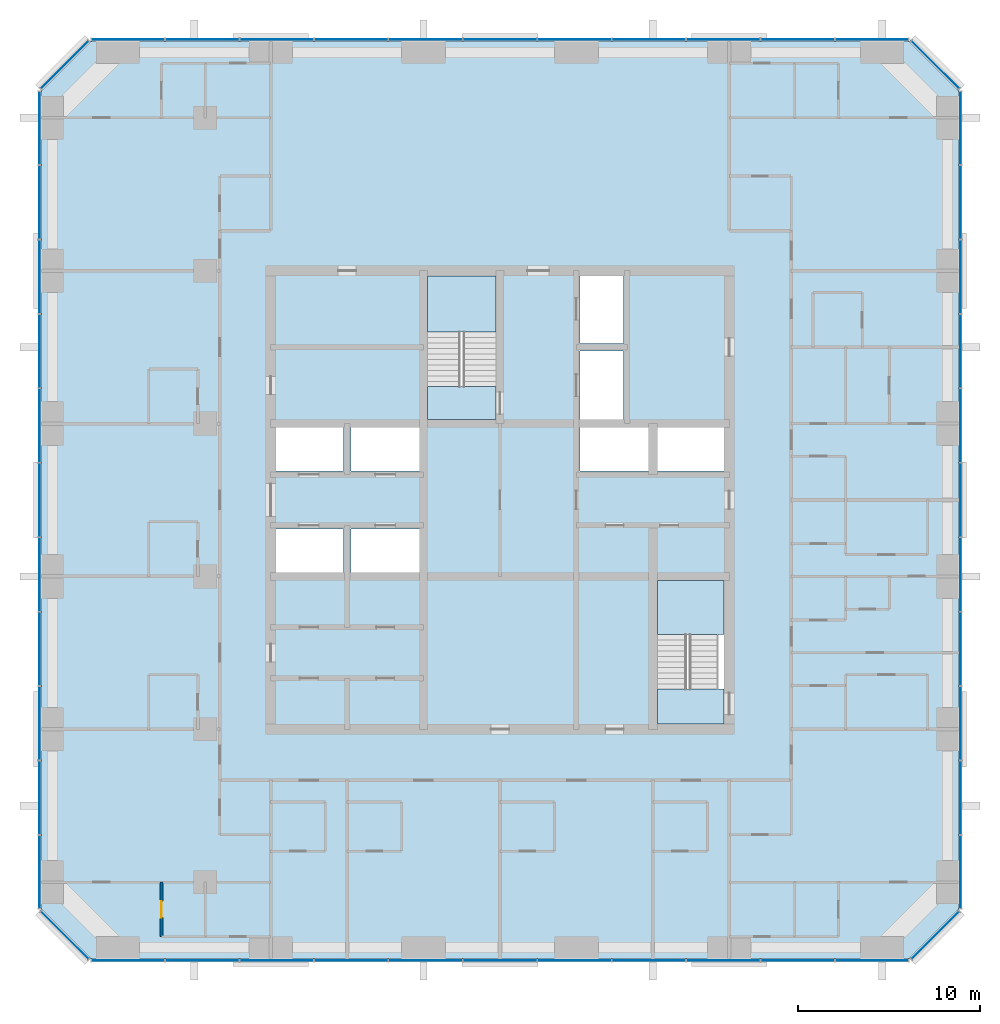
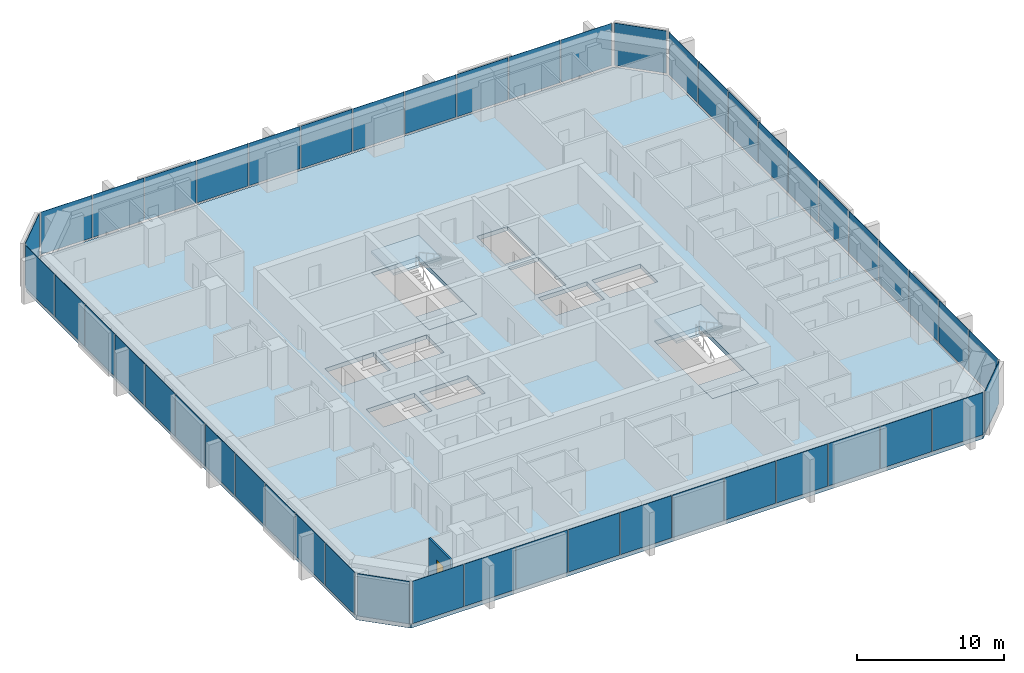
# One storey, part 7 of 13: 48 plates, 5 slabs, 1 door, 1 wall, 1 opening, 10 elements without a shape of their own.
"""IFC4 building model written with IfcOpenShell, lengths in metres."""

import ifcopenshell
import ifcopenshell.guid

model = None  # the IFC model being written
_history = None  # IfcOwnerHistory: only IFC2X3 demands one
_inside = {}  # id of a spatial element -> (the spatial element, [elements in it])
_under = {}  # id of a project, library or spatial element -> (it, [spatial elements below it])
_declared = {}  # id of a project -> (the project, [libraries it declares])
_typed = {}  # id of a type object -> (the type object, [elements of that type])
_made_of = {}  # id of a material, layer set ... -> (it, [elements and type objects made of it])


def new_model(schema):
    """Start an empty IFC model of exactly this schema.

    Asked for "IFC4X3", IfcOpenShell would pick the latest addendum, in which some entities
    have other attributes; the version numbers below select the first issue.
    IFC2X3 requires an IfcOwnerHistory on every rooted entity: one is made here for all.
    """
    global model, _history
    if schema == "IFC4X3":
        model = ifcopenshell.file(schema_version=(4, 3, 0, 0))
    else:
        model = ifcopenshell.file(schema=schema)
    _inside.clear()
    _under.clear()
    _declared.clear()
    _typed.clear()
    _made_of.clear()
    _history = None
    if model.schema == "IFC2X3":
        org = make("IfcOrganization", Name="unknown")
        user = make(
            "IfcPersonAndOrganization",
            ThePerson=make("IfcPerson", FamilyName="unknown"),
            TheOrganization=org,
        )
        app = make(
            "IfcApplication",
            ApplicationDeveloper=org,
            Version="unknown",
            ApplicationFullName="unknown",
            ApplicationIdentifier="unknown",
        )
        _history = make(
            "IfcOwnerHistory",
            OwningUser=user,
            OwningApplication=app,
            ChangeAction="ADDED",
            CreationDate=0,
        )
    return model


def make(cls, **values):
    """One entity of the class cls with the attributes given. An attribute that is None is left unset."""
    return model.create_entity(
        cls, **{name: value for name, value in values.items() if value is not None}
    )


def rooted(cls, **values):
    """An entity with a GlobalId (a new one), such as an element, a storey or a relation."""
    return make(cls, GlobalId=ifcopenshell.guid.new(), OwnerHistory=_history, **values)


def si_unit(unit_type, name, prefix=None):
    """IfcSIUnit, for example si_unit("LENGTHUNIT", "METRE", prefix="MILLI")."""
    return make("IfcSIUnit", UnitType=unit_type, Prefix=prefix, Name=name)


def assignment(units):
    """IfcUnitAssignment: the units of a project."""
    return None if units is None else make("IfcUnitAssignment", Units=units)


def point(xyz):
    """IfcCartesianPoint."""
    return None if xyz is None else make("IfcCartesianPoint", Coordinates=xyz)


def direction(xyz):
    """IfcDirection."""
    return None if xyz is None else make("IfcDirection", DirectionRatios=xyz)


def frame(location, z_axis=None, x_axis=None):
    """IfcAxis2Placement3D, a coordinate frame: its origin and axes. An axis left out is left unset."""
    return make(
        "IfcAxis2Placement3D",
        Location=point(location),
        Axis=direction(z_axis),
        RefDirection=direction(x_axis),
    )


def frame_2d(location, x_axis=None):
    """IfcAxis2Placement2D, a coordinate frame in the plane: its origin and x axis."""
    return make(
        "IfcAxis2Placement2D", Location=point(location), RefDirection=direction(x_axis)
    )


def origin():
    """The frame at (0, 0, 0) with its axes left unset."""
    return frame((0.0, 0.0, 0.0))


def origin_2d():
    """The frame at (0, 0) in the plane with its x axis left unset."""
    return frame_2d((0.0, 0.0))


def place(relative_to, where):
    """IfcLocalPlacement: puts the frame where relative to a parent placement (None: the world)."""
    return make(
        "IfcLocalPlacement", PlacementRelTo=relative_to, RelativePlacement=where
    )


def context(
    kind, dimensions, precision=None, world=None, true_north=None, identifier=None
):
    """IfcGeometricRepresentationContext, for example the 3D "Model" context."""
    return make(
        "IfcGeometricRepresentationContext",
        ContextIdentifier=identifier,
        ContextType=kind,
        CoordinateSpaceDimension=dimensions,
        Precision=precision,
        WorldCoordinateSystem=world,
        TrueNorth=true_north,
    )


def subcontext(parent, identifier, kind, view, scale=None):
    """IfcGeometricRepresentationSubContext, for example "Body" below "Model"."""
    return make(
        "IfcGeometricRepresentationSubContext",
        ContextIdentifier=identifier,
        ContextType=kind,
        ParentContext=parent,
        TargetScale=scale,
        TargetView=view,
    )


def project(units=None, contexts=None):
    """IfcProject with its units and contexts."""
    return rooted(
        "IfcProject",
        Name="project",
        RepresentationContexts=contexts,
        UnitsInContext=assignment(units),
    )


def spatial(cls, under=None, at=None, **own):
    """A site, building, storey or space (cls), placed at a placement, below another one or the project."""
    s = rooted(cls, ObjectPlacement=at, **own)
    if under is not None:
        _under.setdefault(under.id(), (under, []))[1].append(s)
    return s


def polyline(points):
    """IfcPolyline through the points."""
    return make("IfcPolyline", Points=[point(p) for p in points])


def profile(cls, at=None, kind="AREA", **sizes):
    """A parametric profile (cls). Its sizes go by their IFC names, for example OverallWidth=200.0."""
    return make(cls, ProfileType=kind, Position=at, **sizes)


def rectangle(**sizes):
    """IfcRectangleProfileDef."""
    return profile("IfcRectangleProfileDef", **sizes)


def outline(outer, holes=None, kind="AREA"):
    """IfcArbitraryClosedProfileDef: a profile drawn as a closed curve; with holes, ...WithVoids."""
    if holes is None:
        return make("IfcArbitraryClosedProfileDef", ProfileType=kind, OuterCurve=outer)
    return make(
        "IfcArbitraryProfileDefWithVoids",
        ProfileType=kind,
        OuterCurve=outer,
        InnerCurves=holes,
    )


def extrude(swept, where, along, depth):
    """IfcExtrudedAreaSolid: the profile swept, set in the frame where, extruded along a direction by depth."""
    return make(
        "IfcExtrudedAreaSolid",
        SweptArea=swept,
        Position=where,
        ExtrudedDirection=direction(along),
        Depth=depth,
    )


def shape(context_of_items, identifier, shape_type, items):
    """IfcShapeRepresentation: the items that make up one representation, for example the "Body"."""
    return make(
        "IfcShapeRepresentation",
        ContextOfItems=context_of_items,
        RepresentationIdentifier=identifier,
        RepresentationType=shape_type,
        Items=items,
    )


def material(Name=None, Category=None):
    """IfcMaterial."""
    return make("IfcMaterial", Name=Name, Category=Category)


def layer(
    of_material, thickness, ventilated=None, Name=None, Category=None, Priority=None
):
    """IfcMaterialLayer: one layer of a wall or slab, of a material (None: an air gap)."""
    return make(
        "IfcMaterialLayer",
        Material=of_material,
        LayerThickness=thickness,
        IsVentilated=ventilated,
        Name=Name,
        Category=Category,
        Priority=Priority,
    )


def layer_set(layers, Name=None):
    """IfcMaterialLayerSet."""
    return make("IfcMaterialLayerSet", MaterialLayers=layers, LayerSetName=Name)


def made_of(thing, what):
    """Note that an element or type object is made of a material, layer set ...; save() writes the relation."""
    if what is not None:
        _made_of.setdefault(what.id(), (what, []))[1].append(thing)
    return thing


def type_object(cls, material=None, **own):
    """A type object (cls), such as IfcWallType, which elements share."""
    return made_of(rooted(cls, **own), material)


def element(
    cls,
    number,
    at=None,
    inside=None,
    cuts=None,
    type_object=None,
    material=None,
    context=None,
    identifier="Body",
    shape_type=None,
    held_by="IfcProductDefinitionShape",
    body=None,
    shapes=None,
    **own,
):
    """One element of the class cls, such as IfcWall. Its Tag is "e" and its number.

    at: its placement. inside: the storey or other place that contains it. cuts: it is an
    opening in that element (IfcRelVoidsElement). A single representation is given by context,
    identifier, shape_type and body (its items); several are given by shapes. held_by: the class
    of the entity that holds the representations. save() writes the other relations.
    """
    e = rooted(cls, Tag="e%d" % number, ObjectPlacement=at, **own)
    if body is not None:
        shapes = [shape(context, identifier, shape_type, body)]
    if shapes is not None:
        e.Representation = make(held_by, Representations=shapes)
    if inside is not None:
        _inside.setdefault(inside.id(), (inside, []))[1].append(e)
    if cuts is not None:
        rooted(
            "IfcRelVoidsElement", RelatingBuildingElement=cuts, RelatedOpeningElement=e
        )
    if type_object is not None:
        _typed.setdefault(type_object.id(), (type_object, []))[1].append(e)
    return made_of(e, material)


def fill(opening, filler):
    """IfcRelFillsElement: the door or window that sits in an opening."""
    return rooted(
        "IfcRelFillsElement",
        RelatingOpeningElement=opening,
        RelatedBuildingElement=filler,
    )


def aggregate(whole, parts):
    """IfcRelAggregates: a whole, such as a stair, and the parts it consists of."""
    return rooted("IfcRelAggregates", RelatingObject=whole, RelatedObjects=parts)


def save(model, path):
    """Write the relations noted so far, then the file.

    IfcRelAggregates (storeys below a building ...), IfcRelContainedInSpatialStructure (elements
    in a storey), IfcRelDefinesByType, IfcRelAssociatesMaterial and IfcRelDeclares: one each for
    every whole, place, type object, material and project.
    """
    for whole, parts in _under.values():
        aggregate(whole, parts)
    for where, things in _inside.values():
        rooted(
            "IfcRelContainedInSpatialStructure",
            RelatedElements=things,
            RelatingStructure=where,
        )
    for kind, things in _typed.values():
        rooted("IfcRelDefinesByType", RelatedObjects=things, RelatingType=kind)
    for what, things in _made_of.values():
        rooted("IfcRelAssociatesMaterial", RelatedObjects=things, RelatingMaterial=what)
    for by, libraries in _declared.values():
        rooted("IfcRelDeclares", RelatingContext=by, RelatedDefinitions=libraries)
    model.write(path)


model = new_model("IFC4")

# Units and contexts
model_context = context("Model", 3, precision=1e-05, world=origin(), true_north=direction((0.0, 1.0)))
body_context = subcontext(model_context, "Body", "Model", "MODEL_VIEW")
ifc_project = project(units=[si_unit("LENGTHUNIT", "METRE"), si_unit("AREAUNIT", "SQUARE_METRE"), si_unit("VOLUMEUNIT", "CUBIC_METRE"), si_unit("PLANEANGLEUNIT", "RADIAN"), si_unit("MASSUNIT", "GRAM", prefix="KILO")], contexts=[model_context])

# Site, building, storey
site_placement = place(None, origin())
site = spatial("IfcSite", under=ifc_project, at=site_placement, CompositionType="ELEMENT")
building_placement = place(site_placement, origin())
building = spatial("IfcBuilding", under=site, at=building_placement, Name="Dunama Terrace Hotel", CompositionType="ELEMENT")
storey_placement = place(building_placement, frame((0.0, 0.0, 195.0)))
storey = spatial("IfcBuildingStorey", under=building, at=storey_placement, Name="L50", CompositionType="ELEMENT", Elevation=195.0)

# Curtain wall, plates
ifc_material_1 = material(Name="Aluminium curtain wall system", Category="aluminium")
curtain_wall_type = type_object("IfcCurtainWallType", Name="Unitised fritted glass wall CW-C", PredefinedType="NOTDEFINED", material=ifc_material_1)
curtain_wall_1_placement = place(storey_placement, origin())
curtain_wall_1 = element("IfcCurtainWall", 1, at=curtain_wall_1_placement, inside=storey, type_object=curtain_wall_type, Name="Unitised fritted glass wall CW-C L50", PredefinedType="NOTDEFINED")
ifc_material_2 = material(Name="Laminated glass", Category="glass")
ifc_layer_1 = layer(ifc_material_2, 0.031982421875)
ifc_layer_set_1 = layer_set([ifc_layer_1], Name="CWC clear glass panel")
plate_type_1 = type_object("IfcPlateType", Name="CWC clear glass panel", PredefinedType="CURTAIN_PANEL", material=ifc_layer_set_1)
plate_1_placement = place(storey_placement, frame((13.035888671875, 4.10009765625, 0.080078125), z_axis=(0.0, 0.0, 1.0), x_axis=(1.0, 0.0, 0.0)))
plate_1 = element("IfcPlate", 2, at=plate_1_placement, type_object=plate_type_1, Name="CWC clear glass panel", PredefinedType="CURTAIN_PANEL", context=body_context, shape_type="SweptSolid", body=[
    extrude(rectangle(XDim=4.02099609375, YDim=0.031982421875, at=origin_2d()), origin(), (0.0, 0.0, 1.0), 3.52001953125),
])
plate_2_placement = place(storey_placement, frame((25.30908203125, 4.10009765625, 0.080078125), z_axis=(0.0, 0.0, 1.0), x_axis=(1.0, 0.0, 0.0)))
plate_2 = element("IfcPlate", 3, at=plate_2_placement, type_object=plate_type_1, Name="CWC clear glass panel", PredefinedType="CURTAIN_PANEL", context=body_context, shape_type="SweptSolid", body=[
    extrude(rectangle(XDim=4.02099609375, YDim=0.031982421875, at=origin_2d()), origin(), (0.0, 0.0, 1.0), 3.52001953125),
])
plate_3_placement = place(storey_placement, frame((37.58203125, 4.10009765625, 0.080078125), z_axis=(0.0, 0.0, 1.0), x_axis=(1.0, 0.0, 0.0)))
plate_3 = element("IfcPlate", 4, at=plate_3_placement, type_object=plate_type_1, Name="CWC clear glass panel", PredefinedType="CURTAIN_PANEL", context=body_context, shape_type="SweptSolid", body=[
    extrude(rectangle(XDim=4.02099609375, YDim=0.031982421875, at=origin_2d()), origin(), (0.0, 0.0, 1.0), 3.52001953125),
])
plate_4_placement = place(storey_placement, frame((49.8369140625, 4.10009765625, 0.080078125), z_axis=(0.0, 0.0, 1.0), x_axis=(1.0, 0.0, 0.0)))
plate_4 = element("IfcPlate", 5, at=plate_4_placement, type_object=plate_type_1, Name="CWC clear glass panel", PredefinedType="CURTAIN_PANEL", context=body_context, shape_type="SweptSolid", body=[
    extrude(rectangle(XDim=3.98583984375, YDim=0.031982421875, at=origin_2d()), origin(), (0.0, 0.0, 1.0), 3.52001953125),
])

curtain_wall_2_placement = place(storey_placement, origin())
curtain_wall_2 = element("IfcCurtainWall", 6, at=curtain_wall_2_placement, inside=storey, type_object=curtain_wall_type, Name="Unitised fritted glass wall CW-C L50", PredefinedType="NOTDEFINED")
plate_5_placement = place(storey_placement, frame((54.699951171875, 13.035888671875, 0.080078125), z_axis=(0.0, 0.0, 1.0), x_axis=(0.0, 1.0, 0.0)))
plate_5 = element("IfcPlate", 7, at=plate_5_placement, type_object=plate_type_1, Name="CWC clear glass panel", PredefinedType="CURTAIN_PANEL", context=body_context, shape_type="SweptSolid", body=[
    extrude(rectangle(XDim=4.02099609375, YDim=0.031982421875, at=origin_2d()), origin(), (0.0, 0.0, 1.0), 3.52001953125),
])
plate_6_placement = place(storey_placement, frame((54.699951171875, 25.30908203125, 0.080078125), z_axis=(0.0, 0.0, 1.0), x_axis=(0.0, 1.0, 0.0)))
plate_6 = element("IfcPlate", 8, at=plate_6_placement, type_object=plate_type_1, Name="CWC clear glass panel", PredefinedType="CURTAIN_PANEL", context=body_context, shape_type="SweptSolid", body=[
    extrude(rectangle(XDim=4.02099609375, YDim=0.031982421875, at=origin_2d()), origin(), (0.0, 0.0, 1.0), 3.52001953125),
])
plate_7_placement = place(storey_placement, frame((54.699951171875, 37.58203125, 0.080078125), z_axis=(0.0, 0.0, 1.0), x_axis=(0.0, 1.0, 0.0)))
plate_7 = element("IfcPlate", 9, at=plate_7_placement, type_object=plate_type_1, Name="CWC clear glass panel", PredefinedType="CURTAIN_PANEL", context=body_context, shape_type="SweptSolid", body=[
    extrude(rectangle(XDim=4.02099609375, YDim=0.031982421875, at=origin_2d()), origin(), (0.0, 0.0, 1.0), 3.52001953125),
])
plate_8_placement = place(storey_placement, frame((54.699951171875, 49.8369140625, 0.080078125), z_axis=(0.0, 0.0, 1.0), x_axis=(0.0, 1.0, 0.0)))
plate_8 = element("IfcPlate", 10, at=plate_8_placement, type_object=plate_type_1, Name="CWC clear glass panel", PredefinedType="CURTAIN_PANEL", context=body_context, shape_type="SweptSolid", body=[
    extrude(rectangle(XDim=3.98583984375, YDim=0.031982421875, at=origin_2d()), origin(), (0.0, 0.0, 1.0), 3.52001953125),
])

curtain_wall_3_placement = place(storey_placement, origin())
curtain_wall_3 = element("IfcCurtainWall", 11, at=curtain_wall_3_placement, inside=storey, type_object=curtain_wall_type, Name="Unitised fritted glass wall CW-C L50", PredefinedType="NOTDEFINED")
plate_9_placement = place(storey_placement, frame((45.763916015625, 54.699951171875, 0.080078125), z_axis=(0.0, 0.0, 1.0), x_axis=(-1.0, 0.0, 0.0)))
plate_9 = element("IfcPlate", 12, at=plate_9_placement, type_object=plate_type_1, Name="CWC clear glass panel", PredefinedType="CURTAIN_PANEL", context=body_context, shape_type="SweptSolid", body=[
    extrude(rectangle(XDim=4.02099609375, YDim=0.031982421875, at=origin_2d()), origin(), (0.0, 0.0, 1.0), 3.52001953125),
])
plate_10_placement = place(storey_placement, frame((33.490966796875, 54.699951171875, 0.080078125), z_axis=(0.0, 0.0, 1.0), x_axis=(-1.0, 0.0, 0.0)))
plate_10 = element("IfcPlate", 13, at=plate_10_placement, type_object=plate_type_1, Name="CWC clear glass panel", PredefinedType="CURTAIN_PANEL", context=body_context, shape_type="SweptSolid", body=[
    extrude(rectangle(XDim=4.02099609375, YDim=0.031982421875, at=origin_2d()), origin(), (0.0, 0.0, 1.0), 3.52001953125),
])
plate_11_placement = place(storey_placement, frame((21.218017578125, 54.699951171875, 0.080078125), z_axis=(0.0, 0.0, 1.0), x_axis=(-1.0, 0.0, 0.0)))
plate_11 = element("IfcPlate", 14, at=plate_11_placement, type_object=plate_type_1, Name="CWC clear glass panel", PredefinedType="CURTAIN_PANEL", context=body_context, shape_type="SweptSolid", body=[
    extrude(rectangle(XDim=4.02099609375, YDim=0.031982421875, at=origin_2d()), origin(), (0.0, 0.0, 1.0), 3.52001953125),
])
plate_12_placement = place(storey_placement, frame((8.962890625, 54.699951171875, 0.080078125), z_axis=(0.0, 0.0, 1.0), x_axis=(-1.0, 0.0, 0.0)))
plate_12 = element("IfcPlate", 15, at=plate_12_placement, type_object=plate_type_1, Name="CWC clear glass panel", PredefinedType="CURTAIN_PANEL", context=body_context, shape_type="SweptSolid", body=[
    extrude(rectangle(XDim=3.98583984375, YDim=0.031982421875, at=origin_2d()), origin(), (0.0, 0.0, 1.0), 3.52001953125),
])

curtain_wall_4_placement = place(storey_placement, origin())
curtain_wall_4 = element("IfcCurtainWall", 16, at=curtain_wall_4_placement, inside=storey, type_object=curtain_wall_type, Name="Unitised fritted glass wall CW-C L50", PredefinedType="NOTDEFINED")
plate_13_placement = place(storey_placement, frame((4.10009765625, 45.763916015625, 0.080078125), z_axis=(0.0, 0.0, 1.0), x_axis=(0.0, -1.0, 0.0)))
plate_13 = element("IfcPlate", 17, at=plate_13_placement, type_object=plate_type_1, Name="CWC clear glass panel", PredefinedType="CURTAIN_PANEL", context=body_context, shape_type="SweptSolid", body=[
    extrude(rectangle(XDim=4.02099609375, YDim=0.031982421875, at=origin_2d()), origin(), (0.0, 0.0, 1.0), 3.52001953125),
])
plate_14_placement = place(storey_placement, frame((4.10009765625, 33.490966796875, 0.080078125), z_axis=(0.0, 0.0, 1.0), x_axis=(0.0, -1.0, 0.0)))
plate_14 = element("IfcPlate", 18, at=plate_14_placement, type_object=plate_type_1, Name="CWC clear glass panel", PredefinedType="CURTAIN_PANEL", context=body_context, shape_type="SweptSolid", body=[
    extrude(rectangle(XDim=4.02099609375, YDim=0.031982421875, at=origin_2d()), origin(), (0.0, 0.0, 1.0), 3.52001953125),
])
plate_15_placement = place(storey_placement, frame((4.10009765625, 21.218017578125, 0.080078125), z_axis=(0.0, 0.0, 1.0), x_axis=(0.0, -1.0, 0.0)))
plate_15 = element("IfcPlate", 19, at=plate_15_placement, type_object=plate_type_1, Name="CWC clear glass panel", PredefinedType="CURTAIN_PANEL", context=body_context, shape_type="SweptSolid", body=[
    extrude(rectangle(XDim=4.02099609375, YDim=0.031982421875, at=origin_2d()), origin(), (0.0, 0.0, 1.0), 3.52001953125),
])
plate_16_placement = place(storey_placement, frame((4.10009765625, 8.962890625, 0.080078125), z_axis=(0.0, 0.0, 1.0), x_axis=(0.0, -1.0, 0.0)))
plate_16 = element("IfcPlate", 20, at=plate_16_placement, type_object=plate_type_1, Name="CWC clear glass panel", PredefinedType="CURTAIN_PANEL", context=body_context, shape_type="SweptSolid", body=[
    extrude(rectangle(XDim=3.98583984375, YDim=0.031982421875, at=origin_2d()), origin(), (0.0, 0.0, 1.0), 3.52001953125),
])

# Plate
ifc_material_3 = material(Name="Fritted laminated glass", Category="glass")
ifc_layer_2 = layer(ifc_material_3, 0.031982421875)
ifc_layer_set_2 = layer_set([ifc_layer_2], Name="CWC fritted glass panel")
plate_type_2 = type_object("IfcPlateType", Name="CWC fritted glass panel", PredefinedType="CURTAIN_PANEL", material=ifc_layer_set_2)
plate_17_placement = place(storey_placement, frame((8.962890625, 4.10009765625, 0.080078125), z_axis=(0.0, 0.0, 1.0), x_axis=(1.0, 0.0, 0.0)))
plate_17 = element("IfcPlate", 21, at=plate_17_placement, type_object=plate_type_2, Name="CWC fritted glass panel", PredefinedType="CURTAIN_PANEL", context=body_context, shape_type="SweptSolid", body=[
    extrude(rectangle(XDim=3.98583984375, YDim=0.031982421875, at=origin_2d()), origin(), (0.0, 0.0, 1.0), 3.52001953125),
])

plate_18_placement = place(storey_placement, frame((21.218017578125, 4.10009765625, 0.080078125), z_axis=(0.0, 0.0, 1.0), x_axis=(1.0, 0.0, 0.0)))
plate_18 = element("IfcPlate", 22, at=plate_18_placement, type_object=plate_type_2, Name="CWC fritted glass panel", PredefinedType="CURTAIN_PANEL", context=body_context, shape_type="SweptSolid", body=[
    extrude(rectangle(XDim=4.02099609375, YDim=0.031982421875, at=origin_2d()), origin(), (0.0, 0.0, 1.0), 3.52001953125),
])

plate_19_placement = place(storey_placement, frame((33.490966796875, 4.10009765625, 0.080078125), z_axis=(0.0, 0.0, 1.0), x_axis=(1.0, 0.0, 0.0)))
plate_19 = element("IfcPlate", 23, at=plate_19_placement, type_object=plate_type_2, Name="CWC fritted glass panel", PredefinedType="CURTAIN_PANEL", context=body_context, shape_type="SweptSolid", body=[
    extrude(rectangle(XDim=4.02099609375, YDim=0.031982421875, at=origin_2d()), origin(), (0.0, 0.0, 1.0), 3.52001953125),
])

plate_20_placement = place(storey_placement, frame((45.763916015625, 4.10009765625, 0.080078125), z_axis=(0.0, 0.0, 1.0), x_axis=(1.0, 0.0, 0.0)))
plate_20 = element("IfcPlate", 24, at=plate_20_placement, type_object=plate_type_2, Name="CWC fritted glass panel", PredefinedType="CURTAIN_PANEL", context=body_context, shape_type="SweptSolid", body=[
    extrude(rectangle(XDim=4.02099609375, YDim=0.031982421875, at=origin_2d()), origin(), (0.0, 0.0, 1.0), 3.52001953125),
])

plate_21_placement = place(storey_placement, frame((54.699951171875, 8.962890625, 0.080078125), z_axis=(0.0, 0.0, 1.0), x_axis=(0.0, 1.0, 0.0)))
plate_21 = element("IfcPlate", 25, at=plate_21_placement, type_object=plate_type_2, Name="CWC fritted glass panel", PredefinedType="CURTAIN_PANEL", context=body_context, shape_type="SweptSolid", body=[
    extrude(rectangle(XDim=3.98583984375, YDim=0.031982421875, at=origin_2d()), origin(), (0.0, 0.0, 1.0), 3.52001953125),
])

plate_22_placement = place(storey_placement, frame((54.699951171875, 21.218017578125, 0.080078125), z_axis=(0.0, 0.0, 1.0), x_axis=(0.0, 1.0, 0.0)))
plate_22 = element("IfcPlate", 26, at=plate_22_placement, type_object=plate_type_2, Name="CWC fritted glass panel", PredefinedType="CURTAIN_PANEL", context=body_context, shape_type="SweptSolid", body=[
    extrude(rectangle(XDim=4.02099609375, YDim=0.031982421875, at=origin_2d()), origin(), (0.0, 0.0, 1.0), 3.52001953125),
])

plate_23_placement = place(storey_placement, frame((54.699951171875, 33.490966796875, 0.080078125), z_axis=(0.0, 0.0, 1.0), x_axis=(0.0, 1.0, 0.0)))
plate_23 = element("IfcPlate", 27, at=plate_23_placement, type_object=plate_type_2, Name="CWC fritted glass panel", PredefinedType="CURTAIN_PANEL", context=body_context, shape_type="SweptSolid", body=[
    extrude(rectangle(XDim=4.02099609375, YDim=0.031982421875, at=origin_2d()), origin(), (0.0, 0.0, 1.0), 3.52001953125),
])

plate_24_placement = place(storey_placement, frame((54.699951171875, 45.763916015625, 0.080078125), z_axis=(0.0, 0.0, 1.0), x_axis=(0.0, 1.0, 0.0)))
plate_24 = element("IfcPlate", 28, at=plate_24_placement, type_object=plate_type_2, Name="CWC fritted glass panel", PredefinedType="CURTAIN_PANEL", context=body_context, shape_type="SweptSolid", body=[
    extrude(rectangle(XDim=4.02099609375, YDim=0.031982421875, at=origin_2d()), origin(), (0.0, 0.0, 1.0), 3.52001953125),
])

plate_25_placement = place(storey_placement, frame((49.8369140625, 54.699951171875, 0.080078125), z_axis=(0.0, 0.0, 1.0), x_axis=(-1.0, 0.0, 0.0)))
plate_25 = element("IfcPlate", 29, at=plate_25_placement, type_object=plate_type_2, Name="CWC fritted glass panel", PredefinedType="CURTAIN_PANEL", context=body_context, shape_type="SweptSolid", body=[
    extrude(rectangle(XDim=3.98583984375, YDim=0.031982421875, at=origin_2d()), origin(), (0.0, 0.0, 1.0), 3.52001953125),
])

plate_26_placement = place(storey_placement, frame((37.58203125, 54.699951171875, 0.080078125), z_axis=(0.0, 0.0, 1.0), x_axis=(-1.0, 0.0, 0.0)))
plate_26 = element("IfcPlate", 30, at=plate_26_placement, type_object=plate_type_2, Name="CWC fritted glass panel", PredefinedType="CURTAIN_PANEL", context=body_context, shape_type="SweptSolid", body=[
    extrude(rectangle(XDim=4.02099609375, YDim=0.031982421875, at=origin_2d()), origin(), (0.0, 0.0, 1.0), 3.52001953125),
])

plate_27_placement = place(storey_placement, frame((25.30908203125, 54.699951171875, 0.080078125), z_axis=(0.0, 0.0, 1.0), x_axis=(-1.0, 0.0, 0.0)))
plate_27 = element("IfcPlate", 31, at=plate_27_placement, type_object=plate_type_2, Name="CWC fritted glass panel", PredefinedType="CURTAIN_PANEL", context=body_context, shape_type="SweptSolid", body=[
    extrude(rectangle(XDim=4.02099609375, YDim=0.031982421875, at=origin_2d()), origin(), (0.0, 0.0, 1.0), 3.52001953125),
])

plate_28_placement = place(storey_placement, frame((13.035888671875, 54.699951171875, 0.080078125), z_axis=(0.0, 0.0, 1.0), x_axis=(-1.0, 0.0, 0.0)))
plate_28 = element("IfcPlate", 32, at=plate_28_placement, type_object=plate_type_2, Name="CWC fritted glass panel", PredefinedType="CURTAIN_PANEL", context=body_context, shape_type="SweptSolid", body=[
    extrude(rectangle(XDim=4.02099609375, YDim=0.031982421875, at=origin_2d()), origin(), (0.0, 0.0, 1.0), 3.52001953125),
])

plate_29_placement = place(storey_placement, frame((4.10009765625, 49.8369140625, 0.080078125), z_axis=(0.0, 0.0, 1.0), x_axis=(0.0, -1.0, 0.0)))
plate_29 = element("IfcPlate", 33, at=plate_29_placement, type_object=plate_type_2, Name="CWC fritted glass panel", PredefinedType="CURTAIN_PANEL", context=body_context, shape_type="SweptSolid", body=[
    extrude(rectangle(XDim=3.98583984375, YDim=0.031982421875, at=origin_2d()), origin(), (0.0, 0.0, 1.0), 3.52001953125),
])

plate_30_placement = place(storey_placement, frame((4.10009765625, 37.58203125, 0.080078125), z_axis=(0.0, 0.0, 1.0), x_axis=(0.0, -1.0, 0.0)))
plate_30 = element("IfcPlate", 34, at=plate_30_placement, type_object=plate_type_2, Name="CWC fritted glass panel", PredefinedType="CURTAIN_PANEL", context=body_context, shape_type="SweptSolid", body=[
    extrude(rectangle(XDim=4.02099609375, YDim=0.031982421875, at=origin_2d()), origin(), (0.0, 0.0, 1.0), 3.52001953125),
])

plate_31_placement = place(storey_placement, frame((4.10009765625, 25.30908203125, 0.080078125), z_axis=(0.0, 0.0, 1.0), x_axis=(0.0, -1.0, 0.0)))
plate_31 = element("IfcPlate", 35, at=plate_31_placement, type_object=plate_type_2, Name="CWC fritted glass panel", PredefinedType="CURTAIN_PANEL", context=body_context, shape_type="SweptSolid", body=[
    extrude(rectangle(XDim=4.02099609375, YDim=0.031982421875, at=origin_2d()), origin(), (0.0, 0.0, 1.0), 3.52001953125),
])

plate_32_placement = place(storey_placement, frame((4.10009765625, 13.035888671875, 0.080078125), z_axis=(0.0, 0.0, 1.0), x_axis=(0.0, -1.0, 0.0)))
plate_32 = element("IfcPlate", 36, at=plate_32_placement, type_object=plate_type_2, Name="CWC fritted glass panel", PredefinedType="CURTAIN_PANEL", context=body_context, shape_type="SweptSolid", body=[
    extrude(rectangle(XDim=4.02099609375, YDim=0.031982421875, at=origin_2d()), origin(), (0.0, 0.0, 1.0), 3.52001953125),
])

ifc_material_4 = material(Name="Laminated glass", Category="glass")
ifc_layer_3 = layer(ifc_material_4, 0.031982421875)
ifc_layer_set_3 = layer_set([ifc_layer_3], Name="CWC operable glass panel")
plate_type_3 = type_object("IfcPlateType", Name="CWC operable glass panel", PredefinedType="CURTAIN_PANEL", material=ifc_layer_set_3)
plate_33_placement = place(storey_placement, frame((17.126953125, 4.10009765625, 0.080078125), z_axis=(0.0, 0.0, 1.0), x_axis=(1.0, 0.0, 0.0)))
plate_33 = element("IfcPlate", 37, at=plate_33_placement, type_object=plate_type_3, Name="CWC operable glass panel", PredefinedType="CURTAIN_PANEL", context=body_context, shape_type="SweptSolid", body=[
    extrude(rectangle(XDim=4.02099609375, YDim=0.031982421875, at=origin_2d()), origin(), (0.0, 0.0, 1.0), 3.52001953125),
])

plate_34_placement = place(storey_placement, frame((29.39990234375, 4.10009765625, 0.080078125), z_axis=(0.0, 0.0, 1.0), x_axis=(1.0, 0.0, 0.0)))
plate_34 = element("IfcPlate", 38, at=plate_34_placement, type_object=plate_type_3, Name="CWC operable glass panel", PredefinedType="CURTAIN_PANEL", context=body_context, shape_type="SweptSolid", body=[
    extrude(rectangle(XDim=4.02099609375, YDim=0.031982421875, at=origin_2d()), origin(), (0.0, 0.0, 1.0), 3.52001953125),
])

plate_35_placement = place(storey_placement, frame((41.673095703125, 4.10009765625, 0.080078125), z_axis=(0.0, 0.0, 1.0), x_axis=(1.0, 0.0, 0.0)))
plate_35 = element("IfcPlate", 39, at=plate_35_placement, type_object=plate_type_3, Name="CWC operable glass panel", PredefinedType="CURTAIN_PANEL", context=body_context, shape_type="SweptSolid", body=[
    extrude(rectangle(XDim=4.02099609375, YDim=0.031982421875, at=origin_2d()), origin(), (0.0, 0.0, 1.0), 3.52001953125),
])

aggregate(curtain_wall_1, [plate_17, plate_1, plate_33, plate_18, plate_2, plate_34, plate_19, plate_3, plate_35, plate_20, plate_4])

# Curtain wall, plate
curtain_wall_5_placement = place(storey_placement, origin())
curtain_wall_5 = element("IfcCurtainWall", 40, at=curtain_wall_5_placement, inside=storey, type_object=curtain_wall_type, Name="Unitised fritted glass wall CW-C L50", PredefinedType="NOTDEFINED")
plate_36_placement = place(storey_placement, frame((53.321044921875, 5.47900390625, 0.080078125), z_axis=(0.0, 0.0, 1.0), x_axis=(0.707106781187, 0.707106781187, 0.0)))
plate_36 = element("IfcPlate", 41, at=plate_36_placement, type_object=plate_type_3, Name="CWC operable glass panel", PredefinedType="CURTAIN_PANEL", context=body_context, shape_type="SweptSolid", body=[
    extrude(rectangle(XDim=3.678466796875, YDim=0.031982421875, at=origin_2d()), origin(), (0.0, 0.0, 1.0), 3.52001953125),
])
aggregate(curtain_wall_5, [plate_36])

# Plate
plate_37_placement = place(storey_placement, frame((54.699951171875, 17.126953125, 0.080078125), z_axis=(0.0, 0.0, 1.0), x_axis=(0.0, 1.0, 0.0)))
plate_37 = element("IfcPlate", 42, at=plate_37_placement, type_object=plate_type_3, Name="CWC operable glass panel", PredefinedType="CURTAIN_PANEL", context=body_context, shape_type="SweptSolid", body=[
    extrude(rectangle(XDim=4.02099609375, YDim=0.031982421875, at=origin_2d()), origin(), (0.0, 0.0, 1.0), 3.52001953125),
])

plate_38_placement = place(storey_placement, frame((54.699951171875, 29.39990234375, 0.080078125), z_axis=(0.0, 0.0, 1.0), x_axis=(0.0, 1.0, 0.0)))
plate_38 = element("IfcPlate", 43, at=plate_38_placement, type_object=plate_type_3, Name="CWC operable glass panel", PredefinedType="CURTAIN_PANEL", context=body_context, shape_type="SweptSolid", body=[
    extrude(rectangle(XDim=4.02099609375, YDim=0.031982421875, at=origin_2d()), origin(), (0.0, 0.0, 1.0), 3.52001953125),
])

plate_39_placement = place(storey_placement, frame((54.699951171875, 41.673095703125, 0.080078125), z_axis=(0.0, 0.0, 1.0), x_axis=(0.0, 1.0, 0.0)))
plate_39 = element("IfcPlate", 44, at=plate_39_placement, type_object=plate_type_3, Name="CWC operable glass panel", PredefinedType="CURTAIN_PANEL", context=body_context, shape_type="SweptSolid", body=[
    extrude(rectangle(XDim=4.02099609375, YDim=0.031982421875, at=origin_2d()), origin(), (0.0, 0.0, 1.0), 3.52001953125),
])

aggregate(curtain_wall_2, [plate_21, plate_5, plate_37, plate_22, plate_6, plate_38, plate_23, plate_7, plate_39, plate_24, plate_8])

# Curtain wall, plate
curtain_wall_6_placement = place(storey_placement, origin())
curtain_wall_6 = element("IfcCurtainWall", 45, at=curtain_wall_6_placement, inside=storey, type_object=curtain_wall_type, Name="Unitised fritted glass wall CW-C L50", PredefinedType="NOTDEFINED")
plate_40_placement = place(storey_placement, frame((53.321044921875, 53.321044921875, 0.080078125), z_axis=(0.0, 0.0, 1.0), x_axis=(-0.707106781187, 0.707106781187, 0.0)))
plate_40 = element("IfcPlate", 46, at=plate_40_placement, type_object=plate_type_3, Name="CWC operable glass panel", PredefinedType="CURTAIN_PANEL", context=body_context, shape_type="SweptSolid", body=[
    extrude(rectangle(XDim=3.678466796875, YDim=0.031982421875, at=origin_2d()), origin(), (0.0, 0.0, 1.0), 3.52001953125),
])
aggregate(curtain_wall_6, [plate_40])

# Plate
plate_41_placement = place(storey_placement, frame((41.673095703125, 54.699951171875, 0.080078125), z_axis=(0.0, 0.0, 1.0), x_axis=(-1.0, 0.0, 0.0)))
plate_41 = element("IfcPlate", 47, at=plate_41_placement, type_object=plate_type_3, Name="CWC operable glass panel", PredefinedType="CURTAIN_PANEL", context=body_context, shape_type="SweptSolid", body=[
    extrude(rectangle(XDim=4.02099609375, YDim=0.031982421875, at=origin_2d()), origin(), (0.0, 0.0, 1.0), 3.52001953125),
])

plate_42_placement = place(storey_placement, frame((29.39990234375, 54.699951171875, 0.080078125), z_axis=(0.0, 0.0, 1.0), x_axis=(-1.0, 0.0, 0.0)))
plate_42 = element("IfcPlate", 48, at=plate_42_placement, type_object=plate_type_3, Name="CWC operable glass panel", PredefinedType="CURTAIN_PANEL", context=body_context, shape_type="SweptSolid", body=[
    extrude(rectangle(XDim=4.02099609375, YDim=0.031982421875, at=origin_2d()), origin(), (0.0, 0.0, 1.0), 3.52001953125),
])

plate_43_placement = place(storey_placement, frame((17.126953125, 54.699951171875, 0.080078125), z_axis=(0.0, 0.0, 1.0), x_axis=(-1.0, 0.0, 0.0)))
plate_43 = element("IfcPlate", 49, at=plate_43_placement, type_object=plate_type_3, Name="CWC operable glass panel", PredefinedType="CURTAIN_PANEL", context=body_context, shape_type="SweptSolid", body=[
    extrude(rectangle(XDim=4.02099609375, YDim=0.031982421875, at=origin_2d()), origin(), (0.0, 0.0, 1.0), 3.52001953125),
])

aggregate(curtain_wall_3, [plate_25, plate_9, plate_41, plate_26, plate_10, plate_42, plate_27, plate_11, plate_43, plate_28, plate_12])

# Curtain wall, plate
curtain_wall_7_placement = place(storey_placement, origin())
curtain_wall_7 = element("IfcCurtainWall", 50, at=curtain_wall_7_placement, inside=storey, type_object=curtain_wall_type, Name="Unitised fritted glass wall CW-C L50", PredefinedType="NOTDEFINED")
plate_44_placement = place(storey_placement, frame((5.47900390625, 53.321044921875, 0.080078125), z_axis=(0.0, 0.0, 1.0), x_axis=(-0.707106781187, -0.707106781187, 0.0)))
plate_44 = element("IfcPlate", 51, at=plate_44_placement, type_object=plate_type_3, Name="CWC operable glass panel", PredefinedType="CURTAIN_PANEL", context=body_context, shape_type="SweptSolid", body=[
    extrude(rectangle(XDim=3.678466796875, YDim=0.031982421875, at=origin_2d()), origin(), (0.0, 0.0, 1.0), 3.52001953125),
])
aggregate(curtain_wall_7, [plate_44])

# Plate
plate_45_placement = place(storey_placement, frame((4.10009765625, 41.673095703125, 0.080078125), z_axis=(0.0, 0.0, 1.0), x_axis=(0.0, -1.0, 0.0)))
plate_45 = element("IfcPlate", 52, at=plate_45_placement, type_object=plate_type_3, Name="CWC operable glass panel", PredefinedType="CURTAIN_PANEL", context=body_context, shape_type="SweptSolid", body=[
    extrude(rectangle(XDim=4.02099609375, YDim=0.031982421875, at=origin_2d()), origin(), (0.0, 0.0, 1.0), 3.52001953125),
])

plate_46_placement = place(storey_placement, frame((4.10009765625, 29.39990234375, 0.080078125), z_axis=(0.0, 0.0, 1.0), x_axis=(0.0, -1.0, 0.0)))
plate_46 = element("IfcPlate", 53, at=plate_46_placement, type_object=plate_type_3, Name="CWC operable glass panel", PredefinedType="CURTAIN_PANEL", context=body_context, shape_type="SweptSolid", body=[
    extrude(rectangle(XDim=4.02099609375, YDim=0.031982421875, at=origin_2d()), origin(), (0.0, 0.0, 1.0), 3.52001953125),
])

plate_47_placement = place(storey_placement, frame((4.10009765625, 17.126953125, 0.080078125), z_axis=(0.0, 0.0, 1.0), x_axis=(0.0, -1.0, 0.0)))
plate_47 = element("IfcPlate", 54, at=plate_47_placement, type_object=plate_type_3, Name="CWC operable glass panel", PredefinedType="CURTAIN_PANEL", context=body_context, shape_type="SweptSolid", body=[
    extrude(rectangle(XDim=4.02099609375, YDim=0.031982421875, at=origin_2d()), origin(), (0.0, 0.0, 1.0), 3.52001953125),
])

aggregate(curtain_wall_4, [plate_29, plate_13, plate_45, plate_30, plate_14, plate_46, plate_31, plate_15, plate_47, plate_32, plate_16])

# Curtain wall, plate
curtain_wall_8_placement = place(storey_placement, origin())
curtain_wall_8 = element("IfcCurtainWall", 55, at=curtain_wall_8_placement, inside=storey, type_object=curtain_wall_type, Name="Unitised fritted glass wall CW-C L50", PredefinedType="NOTDEFINED")
plate_48_placement = place(storey_placement, frame((5.47900390625, 5.47900390625, 0.080078125), z_axis=(0.0, 0.0, 1.0), x_axis=(0.707106781187, -0.707106781187, 0.0)))
plate_48 = element("IfcPlate", 56, at=plate_48_placement, type_object=plate_type_3, Name="CWC operable glass panel", PredefinedType="CURTAIN_PANEL", context=body_context, shape_type="SweptSolid", body=[
    extrude(rectangle(XDim=3.678466796875, YDim=0.031982421875, at=origin_2d()), origin(), (0.0, 0.0, 1.0), 3.52001953125),
])
aggregate(curtain_wall_8, [plate_48])

# Slab
ifc_material_5 = material(Name="Concrete C40/50", Category="concrete")
ifc_layer_4 = layer(ifc_material_5, 0.35009765625)
ifc_layer_set_4 = layer_set([ifc_layer_4], Name="Flat plate 350")
slab_type_1 = type_object("IfcSlabType", Name="Flat plate 350", PredefinedType="FLOOR", material=ifc_layer_set_4)
slab_1_placement = place(storey_placement, frame((0.0, 0.0, -0.35009765625)))
element("IfcSlab", 57, at=slab_1_placement, inside=storey, type_object=slab_type_1, Name="Floor slab L50", PredefinedType="FLOOR", context=body_context, shape_type="SweptSolid", body=[
    extrude(outline(polyline([(6.89990234375, 4.199951171875), (51.89990234375, 4.199951171875), (54.60009765625, 6.89990234375), (54.60009765625, 51.89990234375), (51.89990234375, 54.60009765625), (6.89990234375, 54.60009765625), (4.199951171875, 51.89990234375), (4.199951171875, 6.89990234375), (6.89990234375, 4.199951171875)]), holes=[polyline([(20.800048828125, 25.39990234375), (20.800048828125, 27.800048828125), (17.0, 27.800048828125), (17.0, 25.39990234375), (20.800048828125, 25.39990234375)]), polyline([(25.0, 25.39990234375), (25.0, 27.800048828125), (21.199951171875, 27.800048828125), (21.199951171875, 25.39990234375), (25.0, 25.39990234375)]), polyline([(20.800048828125, 31.0), (20.800048828125, 33.39990234375), (17.0, 33.39990234375), (17.0, 31.0), (20.800048828125, 31.0)]), polyline([(25.0, 31.0), (25.0, 33.39990234375), (21.199951171875, 33.39990234375), (21.199951171875, 31.0), (25.0, 31.0)]), polyline([(37.60009765625, 31.0), (37.60009765625, 33.39990234375), (33.800048828125, 33.39990234375), (33.800048828125, 31.0), (37.60009765625, 31.0)]), polyline([(41.800048828125, 31.0), (41.800048828125, 33.39990234375), (38.0, 33.39990234375), (38.0, 31.0), (41.800048828125, 31.0)]), polyline([(36.199951171875, 38.0), (36.199951171875, 41.800048828125), (33.800048828125, 41.800048828125), (33.800048828125, 38.0), (36.199951171875, 38.0)]), polyline([(36.199951171875, 33.800048828125), (36.199951171875, 37.60009765625), (33.800048828125, 37.60009765625), (33.800048828125, 33.800048828125), (36.199951171875, 33.800048828125)]), polyline([(29.175048828125, 33.824951171875), (29.175048828125, 41.699951171875), (25.425048828125, 41.699951171875), (25.425048828125, 33.824951171875), (29.175048828125, 33.824951171875)]), polyline([(41.699951171875, 17.10009765625), (41.699951171875, 24.97509765625), (38.050048828125, 24.97509765625), (38.050048828125, 17.10009765625), (41.699951171875, 17.10009765625)])]), origin(), (0.0, 0.0, 1.0), 0.35009765625),
])

# Stair, slabs
ifc_material_6 = material(Name="Concrete C40/50", Category="concrete")
stair_type_1 = type_object("IfcStairType", Name="Stair ST1-3600-1800", PredefinedType="HALF_TURN_STAIR", material=ifc_material_6)
stair_1_placement = place(storey_placement, origin())
stair_1 = element("IfcStair", 58, at=stair_1_placement, inside=storey, type_object=stair_type_1, Name="Stair ST1 L50", PredefinedType="HALF_TURN_STAIR")
ifc_material_7 = material(Name="Concrete C40/50", Category="concrete")
ifc_layer_5 = layer(ifc_material_7, 0.199951171875)
ifc_layer_set_5 = layer_set([ifc_layer_5], Name="Stair landing 200")
slab_type_2 = type_object("IfcSlabType", Name="Stair landing 200", PredefinedType="LANDING", material=ifc_layer_set_5)
slab_2_placement = place(storey_placement, frame((0.0, 0.0, -0.199951171875)))
slab_2 = element("IfcSlab", 59, at=slab_2_placement, type_object=slab_type_2, Name="ST1 landing 1, type S10", PredefinedType="LANDING", context=body_context, shape_type="SweptSolid", body=[
    extrude(outline(polyline([(25.425048828125, 33.824951171875), (29.175048828125, 33.824951171875), (29.175048828125, 35.625), (25.425048828125, 35.625), (25.425048828125, 33.824951171875)])), origin(), (0.0, 0.0, 1.0), 0.199951171875),
])
slab_3_placement = place(storey_placement, frame((0.0, 0.0, 1.60009765625)))
slab_3 = element("IfcSlab", 60, at=slab_3_placement, type_object=slab_type_2, Name="ST1 landing 2, type S10", PredefinedType="LANDING", context=body_context, shape_type="SweptSolid", body=[
    extrude(outline(polyline([(25.425048828125, 38.625), (29.175048828125, 38.625), (29.175048828125, 41.699951171875), (25.425048828125, 41.699951171875), (25.425048828125, 38.625)])), origin(), (0.0, 0.0, 1.0), 0.199951171875),
])
aggregate(stair_1, [slab_2, slab_3])

ifc_material_8 = material(Name="Concrete C40/50", Category="concrete")
stair_type_2 = type_object("IfcStairType", Name="Stair ST2-3600-1600", PredefinedType="HALF_TURN_STAIR", material=ifc_material_8)
stair_2_placement = place(storey_placement, origin())
stair_2 = element("IfcStair", 61, at=stair_2_placement, inside=storey, type_object=stair_type_2, Name="Stair ST2 L50", PredefinedType="HALF_TURN_STAIR")
slab_4_placement = place(storey_placement, frame((0.0, 0.0, -0.199951171875)))
slab_4 = element("IfcSlab", 62, at=slab_4_placement, type_object=slab_type_2, Name="ST2 landing 1, type S10", PredefinedType="LANDING", context=body_context, shape_type="SweptSolid", body=[
    extrude(outline(polyline([(38.050048828125, 17.10009765625), (41.699951171875, 17.10009765625), (41.699951171875, 19.0), (38.050048828125, 19.0), (38.050048828125, 17.10009765625)])), origin(), (0.0, 0.0, 1.0), 0.199951171875),
])
slab_5_placement = place(storey_placement, frame((0.0, 0.0, 1.60009765625)))
slab_5 = element("IfcSlab", 63, at=slab_5_placement, type_object=slab_type_2, Name="ST2 landing 2, type S10", PredefinedType="LANDING", context=body_context, shape_type="SweptSolid", body=[
    extrude(outline(polyline([(38.050048828125, 22.0), (41.699951171875, 22.0), (41.699951171875, 24.97509765625), (38.050048828125, 24.97509765625), (38.050048828125, 22.0)])), origin(), (0.0, 0.0, 1.0), 0.199951171875),
])
aggregate(stair_2, [slab_4, slab_5])

# Wall, opening, door
ifc_material_9 = material(Name="Gypsum board partition", Category="masonry")
ifc_layer_6 = layer(ifc_material_9, 0.14990234375)
ifc_layer_set_6 = layer_set([ifc_layer_6], Name="Room partition 150")
wall_type = type_object("IfcWallType", Name="Room partition 150", PredefinedType="PARTITIONING", material=ifc_layer_set_6)
wall_placement = place(storey_placement, frame((10.800048828125, 5.39990234375, 0.0), z_axis=(0.0, 0.0, 1.0), x_axis=(0.0, 1.0, 0.0)))
wall = element("IfcWall", 64, at=wall_placement, inside=storey, type_object=wall_type, Name="Room partition 150 L50", PredefinedType="PARTITIONING", context=body_context, shape_type="SweptSolid", body=[
    extrude(rectangle(XDim=3.0, YDim=0.14990234375, at=frame_2d((1.5, 0.0))), origin(), (0.0, 0.0, 1.0), 3.25),
])
opening_placement = place(wall_placement, frame((1.050048828125, 0.0, 0.0)))
opening = element("IfcOpeningElement", 65, at=opening_placement, cuts=wall, Name="Opening L48-50-043", PredefinedType="OPENING", context=body_context, shape_type="SweptSolid", body=[
    extrude(rectangle(XDim=0.89990234375, YDim=2.10009765625, at=frame_2d((0.449951171875, 1.050048828125))), frame((0.0, 0.0849609375, 0.0), z_axis=(0.0, -1.0, 0.0), x_axis=(1.0, 0.0, 0.0)), (0.0, 0.0, 1.0), 0.169921875),
])
ifc_material_10 = material(Name="Timber door with steel frame", Category="steel")
door_type = type_object("IfcDoorType", Name="Suite internal door 900", OperationType="SINGLE_SWING_LEFT", PredefinedType="DOOR", material=ifc_material_10)
door_placement = place(opening_placement, frame((0.89990234375, 0.0, 0.0), z_axis=(0.0, 0.0, 1.0), x_axis=(-1.0, 0.0, 0.0)))
door = element("IfcDoor", 66, at=door_placement, inside=storey, type_object=door_type, Name="Door to dressing room L48-50-043, type D16", OperationType="SINGLE_SWING_LEFT", OverallHeight=2.10009765625, OverallWidth=0.89990234375, PredefinedType="DOOR", context=body_context, shape_type="SweptSolid", body=[
    extrude(rectangle(XDim=0.89990234375, YDim=2.10009765625, at=frame_2d((0.449951171875, 1.050048828125))), frame((0.0, 0.025146484375, 0.0), z_axis=(0.0, -1.0, 0.0), x_axis=(1.0, 0.0, 0.0)), (0.0, 0.0, 1.0), 0.050048828125),
])
fill(opening, door)

save(model, "model.ifc")
